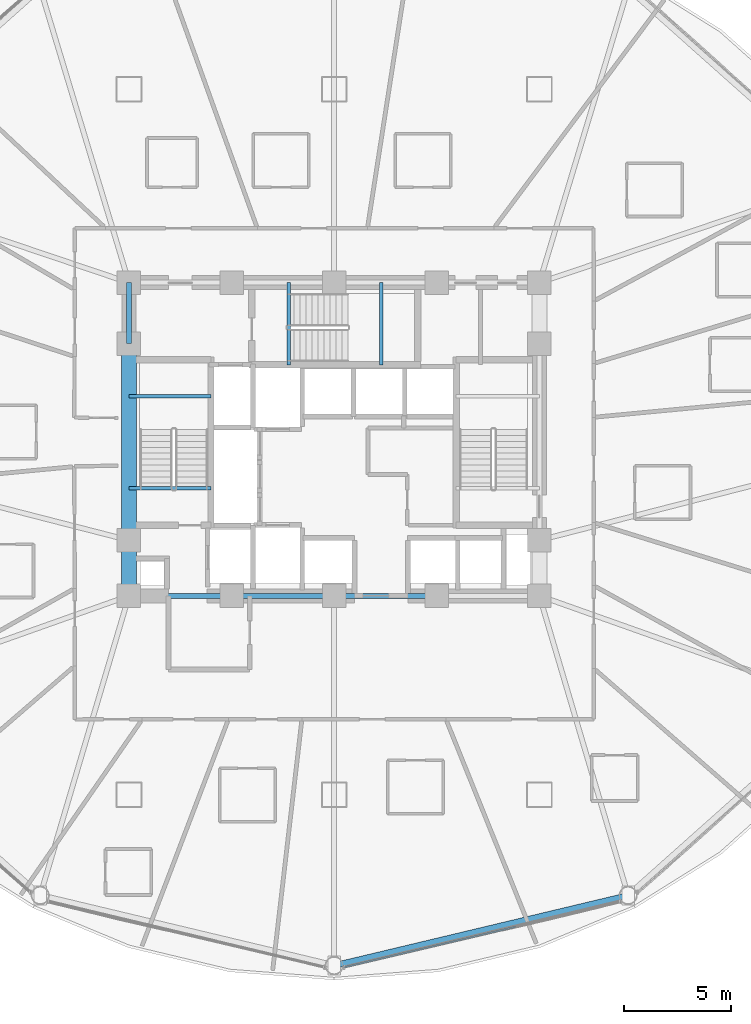
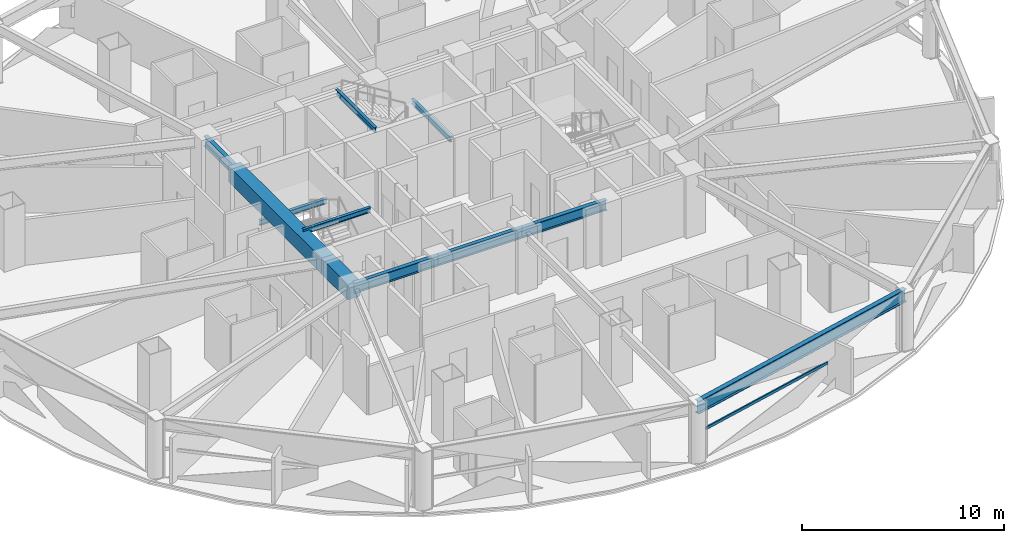
# One storey, part 7 of 30: 11 beams, 1 member, 1 element without a shape of its own.
"""IFC4 building model written with IfcOpenShell, lengths in metres."""

from ifc_helpers import new_model, si_unit, direction, frame, origin, origin_2d, place, context, subcontext, project, spatial, rectangle, hollow_rectangle, i_section, extrude, material, layer, layer_set, material_profile, profile_set, type_object, element, aggregate, save


model = new_model("IFC4")

# Units and contexts
model_context = context("Model", 3, precision=1e-05, world=origin(), true_north=direction((0.0, 1.0)))
body_context = subcontext(model_context, "Body", "Model", "MODEL_VIEW")
ifc_project = project(units=[si_unit("LENGTHUNIT", "METRE"), si_unit("AREAUNIT", "SQUARE_METRE"), si_unit("VOLUMEUNIT", "CUBIC_METRE"), si_unit("PLANEANGLEUNIT", "RADIAN"), si_unit("MASSUNIT", "GRAM", prefix="KILO")], contexts=[model_context])

# Site, building, storey
site_placement = place(None, origin())
site = spatial("IfcSite", under=ifc_project, at=site_placement, CompositionType="ELEMENT")
building_placement = place(site_placement, origin())
building = spatial("IfcBuilding", under=site, at=building_placement, Name="Vantalir Tower", CompositionType="ELEMENT")
storey_placement = place(building_placement, frame((0.0, 0.0, 83.25)))
storey = spatial("IfcBuildingStorey", under=building, at=storey_placement, Name="L20", CompositionType="ELEMENT", Elevation=83.25)

# Beams
ifc_material_1 = material(Name="Concrete C60/75", Category="concrete")
ifc_material_profile_1 = material_profile(ifc_material_1, rectangle(XDim=0.699951171875, YDim=0.949951171875, at=origin_2d()), Name="Concrete C60/75")
ifc_profile_set_1 = profile_set([ifc_material_profile_1], Name="Concrete C60/75")
beam_type_1 = type_object("IfcBeamType", Name="BM-CB-700x950", PredefinedType="USERDEFINED", material=ifc_profile_set_1)
beam_1_placement = place(storey_placement, frame((21.89990234375, 29.60009765625, 3.094970703125), z_axis=(0.0, -1.0, 0.0), x_axis=(1.0, 0.0, 0.0)))
element("IfcBeam", 1, at=beam_1_placement, inside=storey, type_object=beam_type_1, Name="L20 Core Coupling Girder 13", ObjectType="GIRDER", PredefinedType="USERDEFINED", context=body_context, shape_type="SweptSolid", body=[
    extrude(rectangle(XDim=0.699951171875, YDim=0.949951171875, at=origin_2d()), origin(), (0.0, 0.0, 1.0), 9.2001953125),
])
beam_2_placement = place(storey_placement, frame((21.89990234375, 20.39990234375, 3.094970703125), z_axis=(0.0, -1.0, 0.0), x_axis=(1.0, 0.0, 0.0)))
element("IfcBeam", 2, at=beam_2_placement, inside=storey, type_object=beam_type_1, Name="L20 Core Coupling Girder 14", ObjectType="GIRDER", PredefinedType="USERDEFINED", context=body_context, shape_type="SweptSolid", body=[
    extrude(rectangle(XDim=0.699951171875, YDim=0.949951171875, at=origin_2d()), origin(), (0.0, 0.0, 1.0), 2.599853515625),
])
ifc_material_2 = material(Name="Steel S355", Category="steel")
ifc_material_profile_2 = material_profile(ifc_material_2, i_section(OverallWidth=0.166015625, OverallDepth=0.306884765625, WebThickness=0.006591796875, FlangeThickness=0.01171875, at=origin_2d()), Name="Steel S355")
ifc_profile_set_2 = profile_set([ifc_material_profile_2], Name="Steel S355")
beam_type_2 = type_object("IfcBeamType", Name="BM-JS-305x165", PredefinedType="JOIST", material=ifc_profile_set_2)
for number, where, z_axis, x_axis, name in (
    (3, (21.89990234375, 22.8349609375, 3.595947265625), (1.0, 0.0, 0.0), (0.0, 1.0, 0.0), "L21 Stair ST1 Well Nosing Trimmer Beam"),
    (4, (21.89990234375, 27.14501953125, 1.52197265625), (1.0, 0.0, 0.0), (0.0, 1.0, 0.0), "L20 Stair ST1 Half-Landing Support Beam"),
):
    element("IfcBeam", number, at=place(storey_placement, frame(where, z_axis=z_axis, x_axis=x_axis)), inside=storey, type_object=beam_type_2, Name=name, PredefinedType="JOIST", context=body_context, shape_type="SweptSolid", body=[
        extrude(i_section(OverallWidth=0.166015625, OverallDepth=0.306884765625, WebThickness=0.006591796875, FlangeThickness=0.01171875, at=origin_2d()), origin(), (0.0, 0.0, 1.0), 3.840087890625),
    ])
for number, where, z_axis, x_axis, name in (
    (5, (29.385009765625, 28.60009765625, 3.595947265625), (0.0, 1.0, 0.0), (-1.0, 0.0, 0.0), "L21 Stair ST3 Well Nosing Trimmer Beam"),
    (6, (33.695068359375, 28.60009765625, 1.52197265625), (0.0, 1.0, 0.0), (-1.0, 0.0, 0.0), "L20 Stair ST3 Half-Landing Support Beam"),
):
    element("IfcBeam", number, at=place(storey_placement, frame(where, z_axis=z_axis, x_axis=x_axis)), inside=storey, type_object=beam_type_2, Name=name, PredefinedType="JOIST", context=body_context, shape_type="SweptSolid", body=[
        extrude(i_section(OverallWidth=0.166015625, OverallDepth=0.306884765625, WebThickness=0.006591796875, FlangeThickness=0.01171875, at=origin_2d()), origin(), (0.0, 0.0, 1.0), 3.849853515625),
    ])
ifc_material_profile_3 = material_profile(ifc_material_2, i_section(OverallWidth=0.22998046875, OverallDepth=0.616943359375, WebThickness=0.01318359375, FlangeThickness=0.022216796875, at=origin_2d()), Name="Steel S355")
ifc_profile_set_3 = profile_set([ifc_material_profile_3], Name="Steel S355")
beam_type_3 = type_object("IfcBeamType", Name="BM-RB-610x229", PredefinedType="BEAM", material=ifc_profile_set_3)
for number, where, z_axis, x_axis, name in (
    (7, (21.89990234375, 17.800048828125, 3.261962890625), (1.0, 0.0, 0.0), (0.0, 1.0, 0.0), "L20 Core Coupling Girder 01"),
    (8, (26.699951171875, 17.800048828125, 3.261962890625), (1.0, 0.0, 0.0), (0.0, 1.0, 0.0), "L20 Core Coupling Girder 02"),
    (9, (31.5, 17.800048828125, 3.261962890625), (1.0, 0.0, 0.0), (0.0, 1.0, 0.0), "L20 Core Coupling Girder 03"),
):
    element("IfcBeam", number, at=place(storey_placement, frame(where, z_axis=z_axis, x_axis=x_axis)), inside=storey, type_object=beam_type_3, Name=name, PredefinedType="BEAM", context=body_context, shape_type="SweptSolid", body=[
        extrude(i_section(OverallWidth=0.22998046875, OverallDepth=0.616943359375, WebThickness=0.01318359375, FlangeThickness=0.022216796875, at=origin_2d()), origin(), (0.0, 0.0, 1.0), 4.800048828125),
    ])
beam_3_placement = place(storey_placement, frame((21.89990234375, 32.449951171875, 3.261962890625), z_axis=(0.0, -1.0, 0.0), x_axis=(1.0, 0.0, 0.0)))
element("IfcBeam", 10, at=beam_3_placement, inside=storey, type_object=beam_type_3, Name="L20 Core Coupling Girder 12", PredefinedType="BEAM", context=body_context, shape_type="SweptSolid", body=[
    extrude(i_section(OverallWidth=0.22998046875, OverallDepth=0.616943359375, WebThickness=0.01318359375, FlangeThickness=0.022216796875, at=origin_2d()), origin(), (0.0, 0.0, 1.0), 2.849853515625),
])
ifc_material_3 = material(Name="Steel S460", Category="steel")
ifc_material_profile_4 = material_profile(ifc_material_3, i_section(OverallWidth=0.26806640625, OverallDepth=0.77001953125, WebThickness=0.015625, FlangeThickness=0.025390625, at=origin_2d()), Name="Steel S460")
ifc_profile_set_4 = profile_set([ifc_material_profile_4], Name="Steel S460")
beam_type_4 = type_object("IfcBeamType", Name="BM-RG-762x267", PredefinedType="USERDEFINED", material=ifc_profile_set_4)
beam_4_placement = place(storey_placement, frame((31.5, 0.5048828125, 3.18505859375), z_axis=(0.972671890468, 0.232183964763, 0.0), x_axis=(-0.232183964763, 0.972671890468, 0.0)))
element("IfcBeam", 11, at=beam_4_placement, inside=storey, type_object=beam_type_4, Name="L20 Circumferential Ring Girder 10", ObjectType="GIRDER", PredefinedType="USERDEFINED", context=body_context, shape_type="SweptSolid", body=[
    extrude(i_section(OverallWidth=0.26806640625, OverallDepth=0.77001953125, WebThickness=0.015625, FlangeThickness=0.025390625, at=origin_2d()), origin(), (0.0, 0.0, 1.0), 14.13623046875),
])

# Curtain wall, member
ifc_material_4 = material(Name="Champagne-silver PVDF aluminium and double-silver Low-E glass", Category="aluminium")
ifc_layer = layer(ifc_material_4, 0.18994140625)
ifc_layer_set = layer_set([ifc_layer], Name="Champagne-silver PVDF aluminium and double-silver Low-E glass")
curtain_wall_type = type_object("IfcCurtainWallType", Name="CW-DIAMOND-Z1", PredefinedType="USERDEFINED", material=ifc_layer_set)
curtain_wall_placement = place(storey_placement, origin())
curtain_wall = element("IfcCurtainWall", 12, at=curtain_wall_placement, inside=storey, type_object=curtain_wall_type, Name="L20 Quilted Pyramid-Diamond Curtain Wall S10", ObjectType="UNITISED CURTAIN WALL", PredefinedType="USERDEFINED")
ifc_material_5 = material(Name="Champagne-silver PVDF aluminium 6063-T6", Category="aluminium")
ifc_material_profile_5 = material_profile(ifc_material_5, hollow_rectangle(XDim=0.074951171875, YDim=0.159912109375, WallThickness=0.00390625, at=origin_2d()), Name="Champagne-silver PVDF aluminium 6063-T6")
ifc_profile_set_5 = profile_set([ifc_material_profile_5], Name="Champagne-silver PVDF aluminium 6063-T6")
member_type = type_object("IfcMemberType", Name="CWT-160x75", PredefinedType="USERDEFINED", material=ifc_profile_set_5)
member_placement = place(storey_placement, frame((31.95703125, 0.424072265625, 1.784912109375), z_axis=(0.973298610442, 0.229542621122, 0.0), x_axis=(-0.229542621122, 0.973298610442, 0.0)))
member = element("IfcMember", 13, at=member_placement, type_object=member_type, Name="CW-L20-S10 Pyramid Fold Ridge Transom", ObjectType="TRANSOM", PredefinedType="USERDEFINED", context=body_context, shape_type="SweptSolid", body=[
    extrude(hollow_rectangle(XDim=0.074951171875, YDim=0.159912109375, WallThickness=0.00390625, at=origin_2d()), origin(), (0.0, 0.0, 1.0), 8.24609375),
])
aggregate(curtain_wall, [member])

save(model, "model.ifc")
